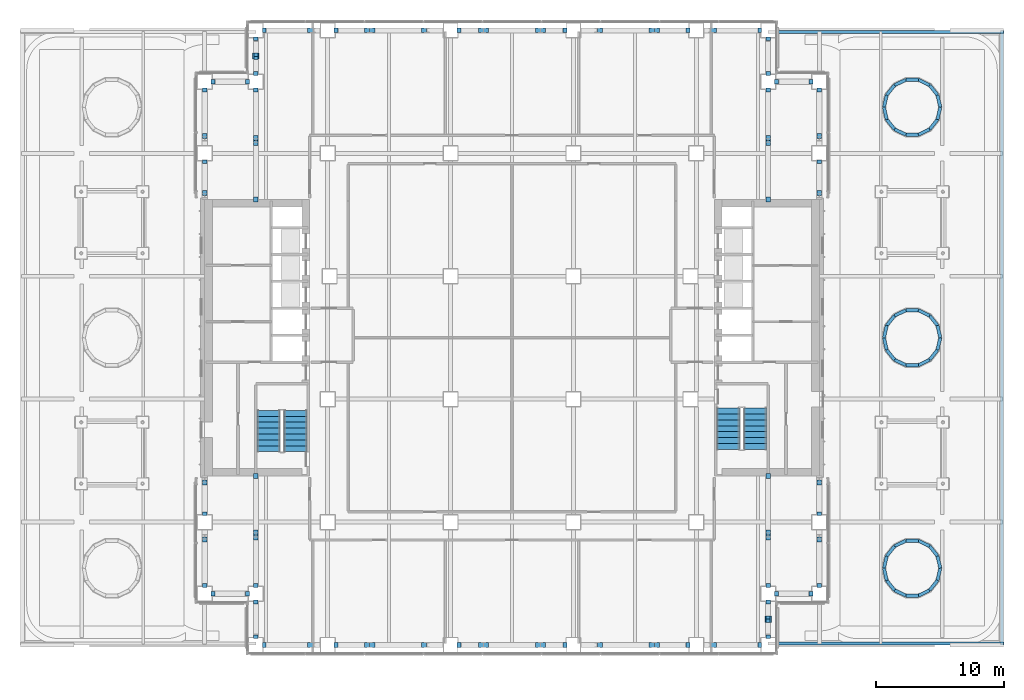
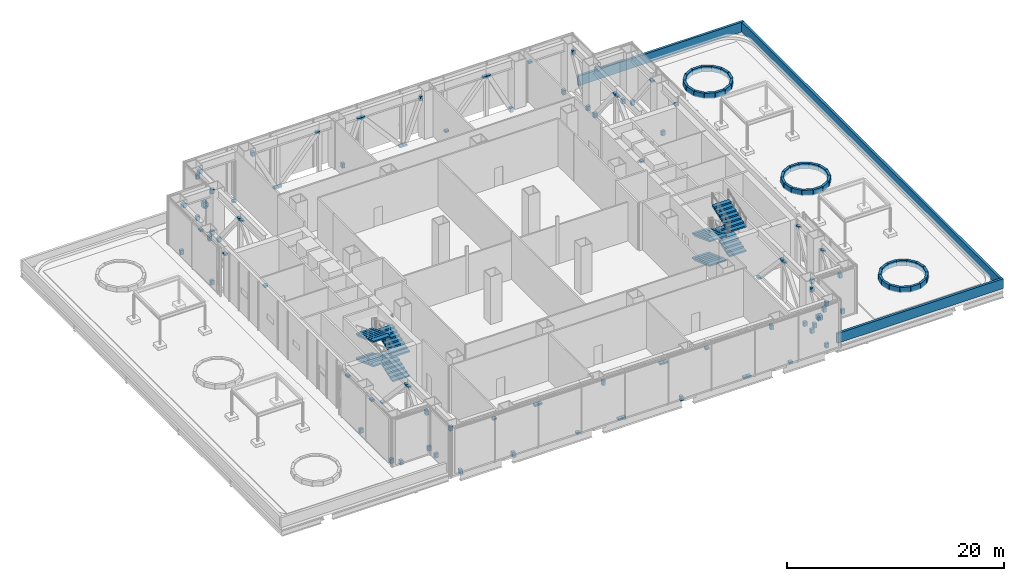
# One storey, part 27 of 39: 94 discrete accessories, 45 walls, 8 stair flights, 2 elements without a shape of their own.
"""IFC4 building model written with IfcOpenShell, lengths in metres."""

from ifc_helpers import new_model, si_unit, direction, frame, frame_2d, origin, origin_2d, place, context, subcontext, project, spatial, polyline, rectangle, outline, extrude, material, layer, layer_set, type_object, element, aggregate, save


model = new_model("IFC4")

# Units and contexts
model_context = context("Model", 3, precision=1e-05, world=origin(), true_north=direction((0.0, 1.0)))
body_context = subcontext(model_context, "Body", "Model", "MODEL_VIEW")
ifc_project = project(units=[si_unit("LENGTHUNIT", "METRE"), si_unit("AREAUNIT", "SQUARE_METRE"), si_unit("VOLUMEUNIT", "CUBIC_METRE"), si_unit("PLANEANGLEUNIT", "RADIAN"), si_unit("MASSUNIT", "GRAM", prefix="KILO")], contexts=[model_context])

# Site, building, storey
site_placement = place(None, origin())
site = spatial("IfcSite", under=ifc_project, at=site_placement, CompositionType="ELEMENT")
building_placement = place(site_placement, origin())
building = spatial("IfcBuilding", under=site, at=building_placement, Name="Cobrizo Arcos Hotel Tower", CompositionType="ELEMENT")
storey_placement = place(building_placement, frame((0.0, 0.0, 33.5)))
storey = spatial("IfcBuildingStorey", under=building, at=storey_placement, Name="L06", CompositionType="ELEMENT", Elevation=33.5)

# Walls
ifc_material_1 = material(Name="Aluminium composite panel pale metal", Category="aluminium")
ifc_layer_1 = layer(ifc_material_1, 0.25)
ifc_layer_set_1 = layer_set([ifc_layer_1], Name="PW-1 parapet wall")
wall_type_1 = type_object("IfcWallType", Name="PW-1 parapet wall", PredefinedType="PARAPET", material=ifc_layer_set_1)
wall_placement = place(storey_placement, frame((38.27490234375, -24.0, 0.0), z_axis=(0.0, 0.0, 1.0), x_axis=(0.0, 1.0, 0.0)))
element("IfcWall", 1, at=wall_placement, inside=storey, type_object=wall_type_1, Name="Parapet L05 E", PredefinedType="PARAPET", context=body_context, shape_type="SweptSolid", body=[
    extrude(rectangle(XDim=48.0, YDim=0.25, at=frame_2d((24.0, 0.0))), origin(), (0.0, 0.0, 1.0), 1.10009765625),
])
for number, where, z_axis, x_axis, name in (
    (2, (38.425048828125, 23.875, 0.0), (0.0, 0.0, 1.0), (-1.0, 0.0, 0.0), "Parapet L05 N"),
    (3, (20.75, -23.875, 0.0), (0.0, 0.0, 1.0), (1.0, 0.0, 0.0), "Parapet L05 S"),
):
    element("IfcWall", number, at=place(storey_placement, frame(where, z_axis=z_axis, x_axis=x_axis)), inside=storey, type_object=wall_type_1, Name=name, PredefinedType="PARAPET", context=body_context, shape_type="SweptSolid", body=[
        extrude(rectangle(XDim=17.675048828125, YDim=0.25, at=frame_2d((8.83740234375, 0.0))), origin(), (0.0, 0.0, 1.0), 1.10009765625),
    ])
ifc_material_2 = material(Name="Precast concrete C40/50", Category="concrete")
ifc_layer_2 = layer(ifc_material_2, 0.25)
ifc_layer_set_2 = layer_set([ifc_layer_2], Name="Planter wall 250")
wall_type_2 = type_object("IfcWallType", Name="Planter wall 250", PredefinedType="SOLIDWALL", material=ifc_layer_set_2)
for number, where, z_axis, x_axis, name in (
    (4, (33.449951171875, -18.0, 0.0), (0.0, 0.0, 1.0), (-0.222418551652, 0.974951274619, 0.0), "Planter wall 4-1"),
    (5, (33.232177734375, -17.04541015625, 0.0), (0.0, 0.0, 1.0), (-0.623630158608, 0.781719531082, 0.0), "Planter wall 4-2"),
    (6, (32.62158203125, -16.280029296875, 0.0), (0.0, 0.0, 1.0), (-0.900961956139, 0.433898091249, 0.0), "Planter wall 4-3"),
    (7, (31.739501953125, -15.855224609375, 0.0), (0.0, 0.0, 1.0), (-1.0, 0.0, 0.0), "Planter wall 4-4"),
    (8, (30.760498046875, -15.855224609375, 0.0), (0.0, 0.0, 1.0), (-0.900961956139, -0.433898091249, 0.0), "Planter wall 4-5"),
    (9, (29.87841796875, -16.280029296875, 0.0), (0.0, 0.0, 1.0), (-0.623630158608, -0.781719531082, 0.0), "Planter wall 4-6"),
    (10, (29.267822265625, -17.04541015625, 0.0), (0.0, 0.0, 1.0), (-0.222418551652, -0.974951274619, 0.0), "Planter wall 4-7"),
    (11, (29.050048828125, -18.0, 0.0), (0.0, 0.0, 1.0), (0.222418551652, -0.974951274619, 0.0), "Planter wall 4-8"),
    (12, (29.267822265625, -18.95458984375, 0.0), (0.0, 0.0, 1.0), (0.623630158608, -0.781719531082, 0.0), "Planter wall 4-9"),
    (13, (29.87841796875, -19.719970703125, 0.0), (0.0, 0.0, 1.0), (0.900961956139, -0.433898091249, 0.0), "Planter wall 4-10"),
    (14, (30.760498046875, -20.144775390625, 0.0), (0.0, 0.0, 1.0), (1.0, 0.0, 0.0), "Planter wall 4-11"),
    (15, (31.739501953125, -20.144775390625, 0.0), (0.0, 0.0, 1.0), (0.900961956139, 0.433898091249, 0.0), "Planter wall 4-12"),
    (16, (32.62158203125, -19.719970703125, 0.0), (0.0, 0.0, 1.0), (0.623630158608, 0.781719531082, 0.0), "Planter wall 4-13"),
    (17, (33.232177734375, -18.95458984375, 0.0), (0.0, 0.0, 1.0), (0.222418551652, 0.974951274619, 0.0), "Planter wall 4-14"),
    (18, (33.449951171875, 0.0, 0.0), (0.0, 0.0, 1.0), (-0.222418551652, 0.974951274619, 0.0), "Planter wall 5-1"),
    (19, (33.232177734375, 0.95458984375, 0.0), (0.0, 0.0, 1.0), (-0.623630158608, 0.781719531082, 0.0), "Planter wall 5-2"),
    (20, (32.62158203125, 1.719970703125, 0.0), (0.0, 0.0, 1.0), (-0.900961956139, 0.433898091249, 0.0), "Planter wall 5-3"),
    (21, (31.739501953125, 2.144775390625, 0.0), (0.0, 0.0, 1.0), (-1.0, 0.0, 0.0), "Planter wall 5-4"),
    (22, (30.760498046875, 2.144775390625, 0.0), (0.0, 0.0, 1.0), (-0.900961956139, -0.433898091249, 0.0), "Planter wall 5-5"),
    (23, (29.87841796875, 1.719970703125, 0.0), (0.0, 0.0, 1.0), (-0.623630158608, -0.781719531082, 0.0), "Planter wall 5-6"),
    (24, (29.267822265625, 0.95458984375, 0.0), (0.0, 0.0, 1.0), (-0.222418551652, -0.974951274619, 0.0), "Planter wall 5-7"),
    (25, (29.050048828125, 0.0, 0.0), (0.0, 0.0, 1.0), (0.222418551652, -0.974951274619, 0.0), "Planter wall 5-8"),
    (26, (29.267822265625, -0.95458984375, 0.0), (0.0, 0.0, 1.0), (0.623630158608, -0.781719531082, 0.0), "Planter wall 5-9"),
    (27, (29.87841796875, -1.719970703125, 0.0), (0.0, 0.0, 1.0), (0.900961956139, -0.433898091249, 0.0), "Planter wall 5-10"),
    (28, (30.760498046875, -2.144775390625, 0.0), (0.0, 0.0, 1.0), (1.0, 0.0, 0.0), "Planter wall 5-11"),
    (29, (31.739501953125, -2.144775390625, 0.0), (0.0, 0.0, 1.0), (0.900961956139, 0.433898091249, 0.0), "Planter wall 5-12"),
    (30, (32.62158203125, -1.719970703125, 0.0), (0.0, 0.0, 1.0), (0.623630158608, 0.781719531082, 0.0), "Planter wall 5-13"),
    (31, (33.232177734375, -0.95458984375, 0.0), (0.0, 0.0, 1.0), (0.222418551652, 0.974951274619, 0.0), "Planter wall 5-14"),
    (32, (33.449951171875, 18.0, 0.0), (0.0, 0.0, 1.0), (-0.222418551652, 0.974951274619, 0.0), "Planter wall 6-1"),
    (33, (33.232177734375, 18.95458984375, 0.0), (0.0, 0.0, 1.0), (-0.623630158608, 0.781719531082, 0.0), "Planter wall 6-2"),
    (34, (32.62158203125, 19.719970703125, 0.0), (0.0, 0.0, 1.0), (-0.900961956139, 0.433898091249, 0.0), "Planter wall 6-3"),
    (35, (31.739501953125, 20.144775390625, 0.0), (0.0, 0.0, 1.0), (-1.0, 0.0, 0.0), "Planter wall 6-4"),
    (36, (30.760498046875, 20.144775390625, 0.0), (0.0, 0.0, 1.0), (-0.900961956139, -0.433898091249, 0.0), "Planter wall 6-5"),
    (37, (29.87841796875, 19.719970703125, 0.0), (0.0, 0.0, 1.0), (-0.623630158608, -0.781719531082, 0.0), "Planter wall 6-6"),
    (38, (29.267822265625, 18.95458984375, 0.0), (0.0, 0.0, 1.0), (-0.222418551652, -0.974951274619, 0.0), "Planter wall 6-7"),
    (39, (29.050048828125, 18.0, 0.0), (0.0, 0.0, 1.0), (0.222418551652, -0.974951274619, 0.0), "Planter wall 6-8"),
    (40, (29.267822265625, 17.04541015625, 0.0), (0.0, 0.0, 1.0), (0.623630158608, -0.781719531082, 0.0), "Planter wall 6-9"),
    (41, (29.87841796875, 16.280029296875, 0.0), (0.0, 0.0, 1.0), (0.900961956139, -0.433898091249, 0.0), "Planter wall 6-10"),
    (42, (30.760498046875, 15.855224609375, 0.0), (0.0, 0.0, 1.0), (1.0, 0.0, 0.0), "Planter wall 6-11"),
    (43, (31.739501953125, 15.855224609375, 0.0), (0.0, 0.0, 1.0), (0.900961956139, 0.433898091249, 0.0), "Planter wall 6-12"),
    (44, (32.62158203125, 16.280029296875, 0.0), (0.0, 0.0, 1.0), (0.623630158608, 0.781719531082, 0.0), "Planter wall 6-13"),
    (45, (33.232177734375, 17.04541015625, 0.0), (0.0, 0.0, 1.0), (0.222418551652, 0.974951274619, 0.0), "Planter wall 6-14"),
):
    element("IfcWall", number, at=place(storey_placement, frame(where, z_axis=z_axis, x_axis=x_axis)), inside=storey, type_object=wall_type_2, Name=name, PredefinedType="SOLIDWALL", context=body_context, shape_type="SweptSolid", body=[
        extrude(rectangle(XDim=0.97900390625, YDim=0.25, at=frame_2d((0.489501953125, 0.0))), origin(), (0.0, 0.0, 1.0), 0.60009765625),
    ])

# Stair, stair flights
ifc_material_3 = material(Name="Concrete f'c 40 MPa", Category="concrete")
stair_type = type_object("IfcStairType", Name="Exit stair", PredefinedType="HALF_TURN_STAIR", material=ifc_material_3)
stair_1_placement = place(storey_placement, origin())
stair_1 = element("IfcStair", 46, at=stair_1_placement, inside=storey, type_object=stair_type, Name="L06 Exit stair ST-W", PredefinedType="HALF_TURN_STAIR")
stair_flight_type = type_object("IfcStairFlightType", Name="Exit stair flight", PredefinedType="STRAIGHT", material=ifc_material_3)
stair_flight_1_placement = place(storey_placement, frame((-16.89990234375, -8.89990234375, 0.0), z_axis=(0.0, 0.0, 1.0), x_axis=(0.0, 1.0, 0.0)))
stair_flight_1 = element("IfcStairFlight", 47, at=stair_flight_1_placement, type_object=stair_flight_type, Name="ST-W flight 1", NumberOfRisers=8, NumberOfTreads=7, PredefinedType="STRAIGHT", RiserHeight=0.171875, TreadLength=0.46, context=body_context, shape_type="SweptSolid", body=[
    extrude(outline(polyline([(0.0, 0.0), (0.0, 0.171875), (0.4599609375, 0.171875), (0.4599609375, 0.34375), (0.919921875, 0.34375), (0.919921875, 0.515625), (1.3798828125, 0.515625), (1.3798828125, 0.6875), (1.840087890625, 0.6875), (1.840087890625, 0.859375), (2.300048828125, 0.859375), (2.300048828125, 1.03125), (2.760009765625, 1.03125), (2.760009765625, 1.203125), (3.219970703125, 1.203125), (3.219970703125, 1.375), (3.219970703125, 1.043212890625), (0.42822265625, 0.0), (0.0, 0.0)])), frame((0.0, 0.89990234375, 0.0), z_axis=(0.0, -1.0, 0.0), x_axis=(1.0, 0.0, 0.0)), (0.0, 0.0, 1.0), 1.800048828125),
])
stair_flight_2_placement = place(storey_placement, frame((-19.0, -5.679931640625, 1.375), z_axis=(0.0, 0.0, 1.0), x_axis=(0.0, -1.0, 0.0)))
stair_flight_2 = element("IfcStairFlight", 48, at=stair_flight_2_placement, type_object=stair_flight_type, Name="ST-W flight 2", NumberOfRisers=8, NumberOfTreads=7, PredefinedType="STRAIGHT", RiserHeight=0.171875, TreadLength=0.46, context=body_context, shape_type="SweptSolid", body=[
    extrude(outline(polyline([(0.0, 0.0), (0.0, 0.171875), (0.4599609375, 0.171875), (0.4599609375, 0.34375), (0.919921875, 0.34375), (0.919921875, 0.515625), (1.3798828125, 0.515625), (1.3798828125, 0.6875), (1.840087890625, 0.6875), (1.840087890625, 0.859375), (2.300048828125, 0.859375), (2.300048828125, 1.03125), (2.760009765625, 1.03125), (2.760009765625, 1.203125), (3.219970703125, 1.203125), (3.219970703125, 1.375), (3.219970703125, 1.043212890625), (0.42822265625, 0.0), (0.0, 0.0)])), frame((0.0, 0.89990234375, 0.0), z_axis=(0.0, -1.0, 0.0), x_axis=(1.0, 0.0, 0.0)), (0.0, 0.0, 1.0), 1.800048828125),
])
stair_flight_3_placement = place(storey_placement, frame((-16.89990234375, -8.89990234375, 2.75), z_axis=(0.0, 0.0, 1.0), x_axis=(0.0, 1.0, 0.0)))
stair_flight_3 = element("IfcStairFlight", 49, at=stair_flight_3_placement, type_object=stair_flight_type, Name="ST-W flight 3", NumberOfRisers=8, NumberOfTreads=7, PredefinedType="STRAIGHT", RiserHeight=0.171875, TreadLength=0.46, context=body_context, shape_type="SweptSolid", body=[
    extrude(outline(polyline([(0.0, 0.0), (0.0, 0.171875), (0.4599609375, 0.171875), (0.4599609375, 0.34375), (0.919921875, 0.34375), (0.919921875, 0.515625), (1.3798828125, 0.515625), (1.3798828125, 0.6875), (1.840087890625, 0.6875), (1.840087890625, 0.859375), (2.300048828125, 0.859375), (2.300048828125, 1.03125), (2.760009765625, 1.03125), (2.760009765625, 1.203125), (3.219970703125, 1.203125), (3.219970703125, 1.375), (3.219970703125, 1.043212890625), (0.42822265625, 0.0), (0.0, 0.0)])), frame((0.0, 0.89990234375, 0.0), z_axis=(0.0, -1.0, 0.0), x_axis=(1.0, 0.0, 0.0)), (0.0, 0.0, 1.0), 1.800048828125),
])
stair_flight_4_placement = place(storey_placement, frame((-19.0, -5.679931640625, 4.125), z_axis=(0.0, 0.0, 1.0), x_axis=(0.0, -1.0, 0.0)))
stair_flight_4 = element("IfcStairFlight", 50, at=stair_flight_4_placement, type_object=stair_flight_type, Name="ST-W flight 4", NumberOfRisers=8, NumberOfTreads=7, PredefinedType="STRAIGHT", RiserHeight=0.171875, TreadLength=0.46, context=body_context, shape_type="SweptSolid", body=[
    extrude(outline(polyline([(0.0, 0.0), (0.0, 0.171875), (0.4599609375, 0.171875), (0.4599609375, 0.34375), (0.919921875, 0.34375), (0.919921875, 0.515625), (1.3798828125, 0.515625), (1.3798828125, 0.6875), (1.840087890625, 0.6875), (1.840087890625, 0.859375), (2.300048828125, 0.859375), (2.300048828125, 1.03125), (2.760009765625, 1.03125), (2.760009765625, 1.203125), (3.219970703125, 1.203125), (3.219970703125, 1.375), (3.219970703125, 1.043212890625), (0.42822265625, 0.0), (0.0, 0.0)])), frame((0.0, 0.89990234375, 0.0), z_axis=(0.0, -1.0, 0.0), x_axis=(1.0, 0.0, 0.0)), (0.0, 0.0, 1.0), 1.800048828125),
])
aggregate(stair_1, [stair_flight_1, stair_flight_2, stair_flight_3, stair_flight_4])

stair_2_placement = place(storey_placement, origin())
stair_2 = element("IfcStair", 51, at=stair_2_placement, inside=storey, type_object=stair_type, Name="L06 Exit stair ST-E", PredefinedType="HALF_TURN_STAIR")
stair_flight_5_placement = place(storey_placement, frame((16.89990234375, -5.5, 0.0), z_axis=(0.0, 0.0, 1.0), x_axis=(0.0, -1.0, 0.0)))
stair_flight_5 = element("IfcStairFlight", 52, at=stair_flight_5_placement, type_object=stair_flight_type, Name="ST-E flight 1", NumberOfRisers=8, NumberOfTreads=7, PredefinedType="STRAIGHT", RiserHeight=0.171875, TreadLength=0.46, context=body_context, shape_type="SweptSolid", body=[
    extrude(outline(polyline([(0.0, 0.0), (0.0, 0.171875), (0.4599609375, 0.171875), (0.4599609375, 0.34375), (0.919921875, 0.34375), (0.919921875, 0.515625), (1.3798828125, 0.515625), (1.3798828125, 0.6875), (1.840087890625, 0.6875), (1.840087890625, 0.859375), (2.300048828125, 0.859375), (2.300048828125, 1.03125), (2.760009765625, 1.03125), (2.760009765625, 1.203125), (3.219970703125, 1.203125), (3.219970703125, 1.375), (3.219970703125, 1.043212890625), (0.42822265625, 0.0), (0.0, 0.0)])), frame((0.0, 0.89990234375, 0.0), z_axis=(0.0, -1.0, 0.0), x_axis=(1.0, 0.0, 0.0)), (0.0, 0.0, 1.0), 1.800048828125),
])
stair_flight_6_placement = place(storey_placement, frame((19.0, -8.719970703125, 1.375), z_axis=(0.0, 0.0, 1.0), x_axis=(0.0, 1.0, 0.0)))
stair_flight_6 = element("IfcStairFlight", 53, at=stair_flight_6_placement, type_object=stair_flight_type, Name="ST-E flight 2", NumberOfRisers=8, NumberOfTreads=7, PredefinedType="STRAIGHT", RiserHeight=0.171875, TreadLength=0.46, context=body_context, shape_type="SweptSolid", body=[
    extrude(outline(polyline([(0.0, 0.0), (0.0, 0.171875), (0.4599609375, 0.171875), (0.4599609375, 0.34375), (0.919921875, 0.34375), (0.919921875, 0.515625), (1.3798828125, 0.515625), (1.3798828125, 0.6875), (1.840087890625, 0.6875), (1.840087890625, 0.859375), (2.300048828125, 0.859375), (2.300048828125, 1.03125), (2.760009765625, 1.03125), (2.760009765625, 1.203125), (3.219970703125, 1.203125), (3.219970703125, 1.375), (3.219970703125, 1.043212890625), (0.42822265625, 0.0), (0.0, 0.0)])), frame((0.0, 0.89990234375, 0.0), z_axis=(0.0, -1.0, 0.0), x_axis=(1.0, 0.0, 0.0)), (0.0, 0.0, 1.0), 1.800048828125),
])
stair_flight_7_placement = place(storey_placement, frame((16.89990234375, -5.5, 2.75), z_axis=(0.0, 0.0, 1.0), x_axis=(0.0, -1.0, 0.0)))
stair_flight_7 = element("IfcStairFlight", 54, at=stair_flight_7_placement, type_object=stair_flight_type, Name="ST-E flight 3", NumberOfRisers=8, NumberOfTreads=7, PredefinedType="STRAIGHT", RiserHeight=0.171875, TreadLength=0.46, context=body_context, shape_type="SweptSolid", body=[
    extrude(outline(polyline([(0.0, 0.0), (0.0, 0.171875), (0.4599609375, 0.171875), (0.4599609375, 0.34375), (0.919921875, 0.34375), (0.919921875, 0.515625), (1.3798828125, 0.515625), (1.3798828125, 0.6875), (1.840087890625, 0.6875), (1.840087890625, 0.859375), (2.300048828125, 0.859375), (2.300048828125, 1.03125), (2.760009765625, 1.03125), (2.760009765625, 1.203125), (3.219970703125, 1.203125), (3.219970703125, 1.375), (3.219970703125, 1.043212890625), (0.42822265625, 0.0), (0.0, 0.0)])), frame((0.0, 0.89990234375, 0.0), z_axis=(0.0, -1.0, 0.0), x_axis=(1.0, 0.0, 0.0)), (0.0, 0.0, 1.0), 1.800048828125),
])
stair_flight_8_placement = place(storey_placement, frame((19.0, -8.719970703125, 4.125), z_axis=(0.0, 0.0, 1.0), x_axis=(0.0, 1.0, 0.0)))
stair_flight_8 = element("IfcStairFlight", 55, at=stair_flight_8_placement, type_object=stair_flight_type, Name="ST-E flight 4", NumberOfRisers=8, NumberOfTreads=7, PredefinedType="STRAIGHT", RiserHeight=0.171875, TreadLength=0.46, context=body_context, shape_type="SweptSolid", body=[
    extrude(outline(polyline([(0.0, 0.0), (0.0, 0.171875), (0.4599609375, 0.171875), (0.4599609375, 0.34375), (0.919921875, 0.34375), (0.919921875, 0.515625), (1.3798828125, 0.515625), (1.3798828125, 0.6875), (1.840087890625, 0.6875), (1.840087890625, 0.859375), (2.300048828125, 0.859375), (2.300048828125, 1.03125), (2.760009765625, 1.03125), (2.760009765625, 1.203125), (3.219970703125, 1.203125), (3.219970703125, 1.375), (3.219970703125, 1.043212890625), (0.42822265625, 0.0), (0.0, 0.0)])), frame((0.0, 0.89990234375, 0.0), z_axis=(0.0, -1.0, 0.0), x_axis=(1.0, 0.0, 0.0)), (0.0, 0.0, 1.0), 1.800048828125),
])
aggregate(stair_2, [stair_flight_5, stair_flight_6, stair_flight_7, stair_flight_8])

# Discrete accessories
ifc_material_4 = material(Name="Steel ASTM A572 Grade 50", Category="steel")
discrete_accessory_type_1 = type_object("IfcDiscreteAccessoryType", Name="GP-2 node plate block 500x500x500", PredefinedType="BRACKET", material=ifc_material_4)
for number, where, z_axis, x_axis, name in (
    (56, (20.0, -22.0, 1.77978515625), (0.0, 0.0, 1.0), (1.0, 0.0, 0.0), "Gusset plate bt-td-L06-010"),
    (57, (-20.0, 22.0, 1.77978515625), (0.0, 0.0, 1.0), (1.0, 0.0, 0.0), "Gusset plate bt-td-L06-027"),
):
    element("IfcDiscreteAccessory", number, at=place(storey_placement, frame(where, z_axis=z_axis, x_axis=x_axis)), inside=storey, type_object=discrete_accessory_type_1, Name=name, PredefinedType="BRACKET", context=body_context, shape_type="SweptSolid", body=[
        extrude(rectangle(XDim=0.5, YDim=0.5, at=origin_2d()), origin(), (0.0, 0.0, 1.0), 0.5),
    ])
discrete_accessory_type_2 = type_object("IfcDiscreteAccessoryType", Name="GP-3 truss end block 300x360x500", PredefinedType="BRACKET", material=ifc_material_4)
for number, where, z_axis, x_axis, name in (
    (58, (-19.35009765625, -24.0, -0.550048828125), (0.0, 0.0, 1.0), (1.0, 0.0, 0.0), "Truss end block"),
    (59, (-13.75, -24.0, -0.550048828125), (0.0, 0.0, 1.0), (1.0, 0.0, 0.0), "Truss end block"),
    (60, (-4.14990234375, -24.0, 4.109375), (0.0, 0.0, 1.0), (1.0, 0.0, 0.0), "Truss end block"),
    (61, (4.14990234375, -24.0, -0.550048828125), (0.0, 0.0, 1.0), (-1.0, 0.0, 0.0), "Truss end block"),
    (62, (13.75, -24.0, 4.109375), (0.0, 0.0, 1.0), (-1.0, 0.0, 0.0), "Truss end block"),
    (63, (19.35009765625, -24.0, 4.109375), (0.0, 0.0, 1.0), (-1.0, 0.0, 0.0), "Truss end block"),
    (64, (20.0, -23.35009765625, -0.550048828125), (0.0, 0.0, 1.0), (0.0, 1.0, 0.0), "Truss end block"),
    (65, (20.0, -20.64990234375, 4.109375), (0.0, 0.0, 1.0), (0.0, -1.0, 0.0), "Truss end block"),
    (66, (20.64990234375, -20.0, -0.550048828125), (0.0, 0.0, 1.0), (1.0, 0.0, 0.0), "Truss end block"),
    (67, (23.35009765625, -20.0, 4.109375), (0.0, 0.0, 1.0), (-1.0, 0.0, 0.0), "Truss end block"),
    (68, (24.0, -19.35009765625, -0.550048828125), (0.0, 0.0, 1.0), (0.0, 1.0, 0.0), "Truss end block"),
    (69, (24.0, -13.75, -0.550048828125), (0.0, 0.0, 1.0), (0.0, 1.0, 0.0), "Truss end block"),
    (70, (24.0, 13.75, -0.550048828125), (0.0, 0.0, 1.0), (0.0, -1.0, 0.0), "Truss end block"),
    (71, (24.0, 19.35009765625, -0.550048828125), (0.0, 0.0, 1.0), (0.0, -1.0, 0.0), "Truss end block"),
    (72, (23.35009765625, 20.0, -0.550048828125), (0.0, 0.0, 1.0), (-1.0, 0.0, 0.0), "Truss end block"),
    (73, (20.64990234375, 20.0, 4.109375), (0.0, 0.0, 1.0), (1.0, 0.0, 0.0), "Truss end block"),
    (74, (20.0, 20.64990234375, -0.550048828125), (0.0, 0.0, 1.0), (0.0, 1.0, 0.0), "Truss end block"),
    (75, (20.0, 23.35009765625, 4.109375), (0.0, 0.0, 1.0), (0.0, -1.0, 0.0), "Truss end block"),
    (76, (19.35009765625, 24.0, -0.550048828125), (0.0, 0.0, 1.0), (-1.0, 0.0, 0.0), "Truss end block"),
    (77, (13.75, 24.0, -0.550048828125), (0.0, 0.0, 1.0), (-1.0, 0.0, 0.0), "Truss end block"),
    (78, (4.14990234375, 24.0, 4.109375), (0.0, 0.0, 1.0), (-1.0, 0.0, 0.0), "Truss end block"),
    (79, (-4.14990234375, 24.0, -0.550048828125), (0.0, 0.0, 1.0), (1.0, 0.0, 0.0), "Truss end block"),
    (80, (-13.75, 24.0, 4.109375), (0.0, 0.0, 1.0), (1.0, 0.0, 0.0), "Truss end block"),
    (81, (-19.35009765625, 24.0, 4.109375), (0.0, 0.0, 1.0), (1.0, 0.0, 0.0), "Truss end block"),
    (82, (-20.0, 23.35009765625, -0.550048828125), (0.0, 0.0, 1.0), (0.0, -1.0, 0.0), "Truss end block"),
    (83, (-20.0, 20.64990234375, 4.109375), (0.0, 0.0, 1.0), (0.0, 1.0, 0.0), "Truss end block"),
    (84, (-20.64990234375, 20.0, -0.550048828125), (0.0, 0.0, 1.0), (-1.0, 0.0, 0.0), "Truss end block"),
    (85, (-23.35009765625, 20.0, 4.109375), (0.0, 0.0, 1.0), (1.0, 0.0, 0.0), "Truss end block"),
    (86, (-24.0, 19.35009765625, -0.550048828125), (0.0, 0.0, 1.0), (0.0, -1.0, 0.0), "Truss end block"),
    (87, (-24.0, 13.75, -0.550048828125), (0.0, 0.0, 1.0), (0.0, -1.0, 0.0), "Truss end block"),
    (88, (-24.0, -13.75, -0.550048828125), (0.0, 0.0, 1.0), (0.0, 1.0, 0.0), "Truss end block"),
    (89, (-24.0, -19.35009765625, -0.550048828125), (0.0, 0.0, 1.0), (0.0, 1.0, 0.0), "Truss end block"),
    (90, (-23.35009765625, -20.0, -0.550048828125), (0.0, 0.0, 1.0), (1.0, 0.0, 0.0), "Truss end block"),
    (91, (-20.64990234375, -20.0, 4.109375), (0.0, 0.0, 1.0), (-1.0, 0.0, 0.0), "Truss end block"),
    (92, (-20.0, -20.64990234375, -0.550048828125), (0.0, 0.0, 1.0), (0.0, -1.0, 0.0), "Truss end block"),
    (93, (-20.0, -23.35009765625, 4.109375), (0.0, 0.0, 1.0), (0.0, 1.0, 0.0), "Truss end block"),
    (94, (20.0, -19.35009765625, -0.550048828125), (0.0, 0.0, 1.0), (0.0, 1.0, 0.0), "Truss end block"),
    (95, (20.0, -20.64990234375, -0.550048828125), (0.0, 0.0, 1.0), (0.0, -1.0, 0.0), "Truss end block"),
    (96, (20.0, -23.35009765625, 4.109375), (0.0, 0.0, 1.0), (0.0, 1.0, 0.0), "Truss end block"),
    (97, (20.0, 19.35009765625, -0.550048828125), (0.0, 0.0, 1.0), (0.0, -1.0, 0.0), "Truss end block"),
    (98, (-20.0, -19.35009765625, -0.550048828125), (0.0, 0.0, 1.0), (0.0, 1.0, 0.0), "Truss end block"),
    (99, (-20.0, 19.35009765625, -0.550048828125), (0.0, 0.0, 1.0), (0.0, -1.0, 0.0), "Truss end block"),
    (100, (-20.0, 20.64990234375, -0.550048828125), (0.0, 0.0, 1.0), (0.0, 1.0, 0.0), "Truss end block"),
    (101, (-20.0, 23.35009765625, 4.109375), (0.0, 0.0, 1.0), (0.0, -1.0, 0.0), "Truss end block"),
):
    element("IfcDiscreteAccessory", number, at=place(storey_placement, frame(where, z_axis=z_axis, x_axis=x_axis)), inside=storey, type_object=discrete_accessory_type_2, Name=name, PredefinedType="BRACKET", context=body_context, shape_type="SweptSolid", body=[
        extrude(rectangle(XDim=0.300048828125, YDim=0.360107421875, at=origin_2d()), origin(), (0.0, 0.0, 1.0), 0.5),
    ])
discrete_accessory_type_3 = type_object("IfcDiscreteAccessoryType", Name="GP-4 truss chord plate 400x360x200", PredefinedType="BRACKET", material=ifc_material_4)
for number, where, z_axis, x_axis, name in (
    (102, (-15.756103515625, -24.0, 4.25927734375), (0.0, 0.0, 1.0), (1.0, 0.0, 0.0), "Truss chord plate"),
    (103, (-11.31103515625, -24.0, 4.25927734375), (0.0, 0.0, 1.0), (1.0, 0.0, 0.0), "Truss chord plate"),
    (104, (-10.910888671875, -24.0, 4.25927734375), (0.0, 0.0, 1.0), (1.0, 0.0, 0.0), "Truss chord plate"),
    (105, (-6.866943359375, -24.0, -0.39990234375), (0.0, 0.0, 1.0), (1.0, 0.0, 0.0), "Truss chord plate"),
    (106, (-2.422119140625, -24.0, -0.39990234375), (0.0, 0.0, 1.0), (1.0, 0.0, 0.0), "Truss chord plate"),
    (107, (-2.02197265625, -24.0, -0.39990234375), (0.0, 0.0, 1.0), (1.0, 0.0, 0.0), "Truss chord plate"),
    (108, (2.02197265625, -24.0, 4.25927734375), (0.0, 0.0, 1.0), (1.0, 0.0, 0.0), "Truss chord plate"),
    (109, (2.422119140625, -24.0, 4.25927734375), (0.0, 0.0, 1.0), (1.0, 0.0, 0.0), "Truss chord plate"),
    (110, (6.866943359375, -24.0, 4.25927734375), (0.0, 0.0, 1.0), (1.0, 0.0, 0.0), "Truss chord plate"),
    (111, (10.910888671875, -24.0, -0.39990234375), (0.0, 0.0, 1.0), (1.0, 0.0, 0.0), "Truss chord plate"),
    (112, (11.31103515625, -24.0, -0.39990234375), (0.0, 0.0, 1.0), (1.0, 0.0, 0.0), "Truss chord plate"),
    (113, (15.756103515625, -24.0, -0.39990234375), (0.0, 0.0, 1.0), (1.0, 0.0, 0.0), "Truss chord plate"),
    (114, (24.0, -15.756103515625, 4.25927734375), (0.0, 0.0, 1.0), (0.0, 1.0, 0.0), "Truss chord plate"),
    (115, (24.0, -11.31103515625, 4.25927734375), (0.0, 0.0, 1.0), (0.0, 1.0, 0.0), "Truss chord plate"),
    (116, (24.0, 11.31103515625, 4.25927734375), (0.0, 0.0, 1.0), (0.0, 1.0, 0.0), "Truss chord plate"),
    (117, (24.0, 15.756103515625, 4.25927734375), (0.0, 0.0, 1.0), (0.0, 1.0, 0.0), "Truss chord plate"),
    (118, (15.756103515625, 24.0, 4.25927734375), (0.0, 0.0, 1.0), (-1.0, 0.0, 0.0), "Truss chord plate"),
    (119, (11.31103515625, 24.0, 4.25927734375), (0.0, 0.0, 1.0), (-1.0, 0.0, 0.0), "Truss chord plate"),
    (120, (10.910888671875, 24.0, 4.25927734375), (0.0, 0.0, 1.0), (-1.0, 0.0, 0.0), "Truss chord plate"),
    (121, (6.866943359375, 24.0, -0.39990234375), (0.0, 0.0, 1.0), (-1.0, 0.0, 0.0), "Truss chord plate"),
    (122, (2.422119140625, 24.0, -0.39990234375), (0.0, 0.0, 1.0), (-1.0, 0.0, 0.0), "Truss chord plate"),
    (123, (2.02197265625, 24.0, -0.39990234375), (0.0, 0.0, 1.0), (-1.0, 0.0, 0.0), "Truss chord plate"),
    (124, (-2.02197265625, 24.0, 4.25927734375), (0.0, 0.0, 1.0), (-1.0, 0.0, 0.0), "Truss chord plate"),
    (125, (-2.422119140625, 24.0, 4.25927734375), (0.0, 0.0, 1.0), (-1.0, 0.0, 0.0), "Truss chord plate"),
    (126, (-6.866943359375, 24.0, 4.25927734375), (0.0, 0.0, 1.0), (-1.0, 0.0, 0.0), "Truss chord plate"),
    (127, (-10.910888671875, 24.0, -0.39990234375), (0.0, 0.0, 1.0), (-1.0, 0.0, 0.0), "Truss chord plate"),
    (128, (-11.31103515625, 24.0, -0.39990234375), (0.0, 0.0, 1.0), (-1.0, 0.0, 0.0), "Truss chord plate"),
    (129, (-15.756103515625, 24.0, -0.39990234375), (0.0, 0.0, 1.0), (-1.0, 0.0, 0.0), "Truss chord plate"),
    (130, (-24.0, 15.756103515625, 4.25927734375), (0.0, 0.0, 1.0), (0.0, -1.0, 0.0), "Truss chord plate"),
    (131, (-24.0, 11.31103515625, 4.25927734375), (0.0, 0.0, 1.0), (0.0, -1.0, 0.0), "Truss chord plate"),
    (132, (-24.0, -11.31103515625, 4.25927734375), (0.0, 0.0, 1.0), (0.0, -1.0, 0.0), "Truss chord plate"),
    (133, (-24.0, -15.756103515625, 4.25927734375), (0.0, 0.0, 1.0), (0.0, -1.0, 0.0), "Truss chord plate"),
    (134, (20.0, -10.800048828125, -0.39990234375), (0.0, 0.0, 1.0), (0.0, -1.0, 0.0), "Truss chord plate"),
    (135, (20.0, -15.199951171875, 4.25927734375), (0.0, 0.0, 1.0), (0.0, -1.0, 0.0), "Truss chord plate"),
    (136, (20.0, -15.60009765625, 4.25927734375), (0.0, 0.0, 1.0), (0.0, -1.0, 0.0), "Truss chord plate"),
    (137, (20.0, 10.800048828125, -0.39990234375), (0.0, 0.0, 1.0), (0.0, 1.0, 0.0), "Truss chord plate"),
    (138, (20.0, 15.199951171875, 4.25927734375), (0.0, 0.0, 1.0), (0.0, 1.0, 0.0), "Truss chord plate"),
    (139, (20.0, 15.60009765625, 4.25927734375), (0.0, 0.0, 1.0), (0.0, 1.0, 0.0), "Truss chord plate"),
    (140, (-20.0, -10.800048828125, -0.39990234375), (0.0, 0.0, 1.0), (0.0, -1.0, 0.0), "Truss chord plate"),
    (141, (-20.0, -15.199951171875, 4.25927734375), (0.0, 0.0, 1.0), (0.0, -1.0, 0.0), "Truss chord plate"),
    (142, (-20.0, -15.60009765625, 4.25927734375), (0.0, 0.0, 1.0), (0.0, -1.0, 0.0), "Truss chord plate"),
    (143, (-20.0, 10.800048828125, -0.39990234375), (0.0, 0.0, 1.0), (0.0, 1.0, 0.0), "Truss chord plate"),
    (144, (-20.0, 15.199951171875, 4.25927734375), (0.0, 0.0, 1.0), (0.0, 1.0, 0.0), "Truss chord plate"),
    (145, (-20.0, 15.60009765625, 4.25927734375), (0.0, 0.0, 1.0), (0.0, 1.0, 0.0), "Truss chord plate"),
):
    element("IfcDiscreteAccessory", number, at=place(storey_placement, frame(where, z_axis=z_axis, x_axis=x_axis)), inside=storey, type_object=discrete_accessory_type_3, Name=name, PredefinedType="BRACKET", context=body_context, shape_type="SweptSolid", body=[
        extrude(rectangle(XDim=0.39990234375, YDim=0.360107421875, at=origin_2d()), origin(), (0.0, 0.0, 1.0), 0.199951171875),
    ])
discrete_accessory_type_4 = type_object("IfcDiscreteAccessoryType", Name="GP-5 brace end plate 300x300x300", PredefinedType="BRACKET", material=ifc_material_4)
for number, where, z_axis, x_axis, name in (
    (146, (20.0, -21.89794921875, 1.69970703125), (0.0, 0.0, 1.0), (1.0, 0.0, 0.0), "Brace end plate"),
    (147, (20.0, -22.10205078125, 2.0595703125), (0.0, 0.0, 1.0), (1.0, 0.0, 0.0), "Brace end plate"),
    (148, (-20.0, 21.89794921875, 1.69970703125), (0.0, 0.0, 1.0), (1.0, 0.0, 0.0), "Brace end plate"),
    (149, (-20.0, 22.10205078125, 2.0595703125), (0.0, 0.0, 1.0), (1.0, 0.0, 0.0), "Brace end plate"),
):
    element("IfcDiscreteAccessory", number, at=place(storey_placement, frame(where, z_axis=z_axis, x_axis=x_axis)), inside=storey, type_object=discrete_accessory_type_4, Name=name, PredefinedType="BRACKET", context=body_context, shape_type="SweptSolid", body=[
        extrude(rectangle(XDim=0.300048828125, YDim=0.300048828125, at=origin_2d()), origin(), (0.0, 0.0, 1.0), 0.300048828125),
    ])

save(model, "model.ifc")
